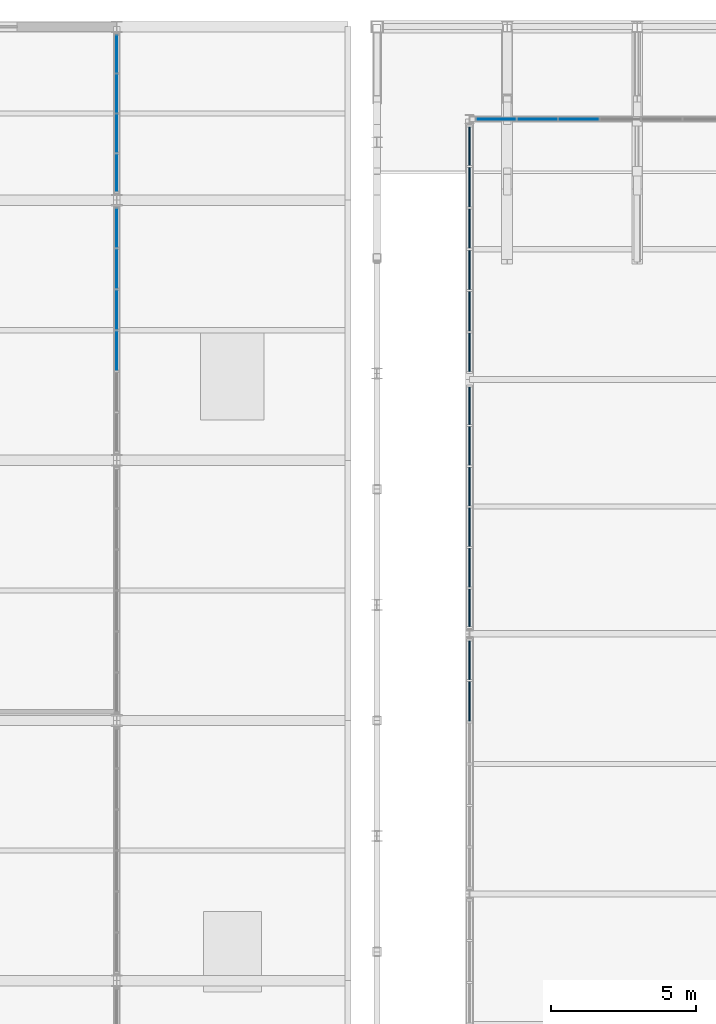
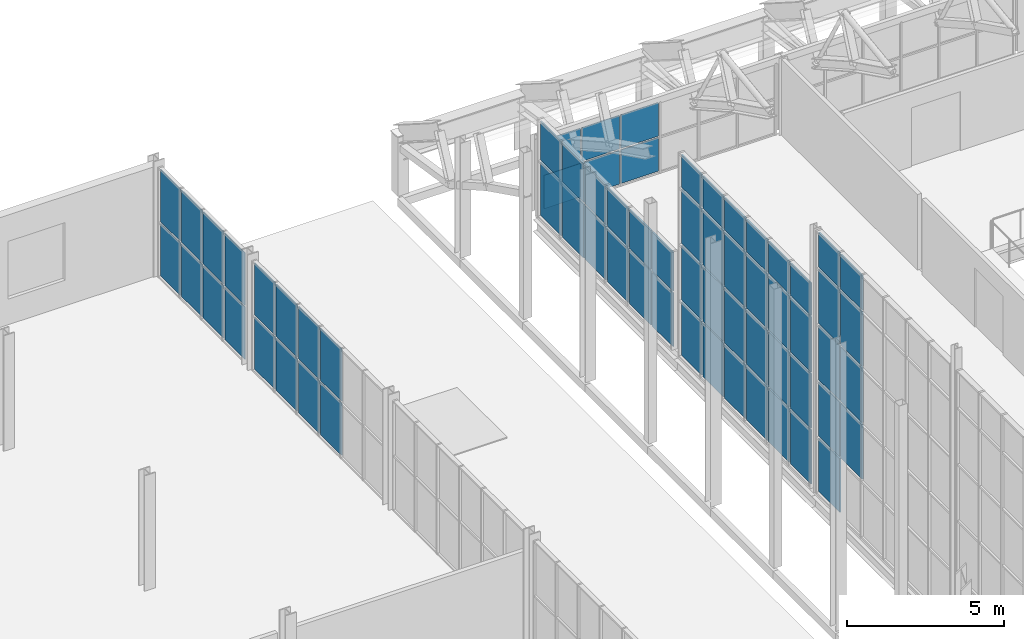
# One storey, part 97 of 134: 67 plates, 6 elements without a shape of their own.
"""IFC4 building model written with IfcOpenShell, lengths in metres."""

from ifc_helpers import new_model, si_unit, direction, frame, origin, origin_2d, place, context, subcontext, project, spatial, rectangle, extrude, material, layer, layer_set, type_object, element, aggregate, save


model = new_model("IFC4")

# Units and contexts
model_context = context("Model", 3, precision=1e-05, world=origin(), true_north=direction((0.0, 1.0)))
body_context = subcontext(model_context, "Body", "Model", "MODEL_VIEW")
ifc_project = project(units=[si_unit("LENGTHUNIT", "METRE"), si_unit("AREAUNIT", "SQUARE_METRE"), si_unit("VOLUMEUNIT", "CUBIC_METRE"), si_unit("PLANEANGLEUNIT", "RADIAN"), si_unit("MASSUNIT", "GRAM", prefix="KILO")], contexts=[model_context])

# Site, building, storey
site_placement = place(None, origin())
site = spatial("IfcSite", under=ifc_project, at=site_placement, CompositionType="ELEMENT")
building_placement = place(site_placement, origin())
building = spatial("IfcBuilding", under=site, at=building_placement, Name="Cazmaro Siding Exhibition Halls", CompositionType="ELEMENT")
storey_placement = place(building_placement, frame((0.0, 0.0, 12.0)))
storey = spatial("IfcBuildingStorey", under=building, at=storey_placement, Name="L02", CompositionType="ELEMENT", Elevation=12.0)

# Curtain wall, plates
ifc_material_1 = material(Name="Anodized Bronze Aluminum and Solar-Control Low-E Glazing", Category="aluminium")
ifc_layer_1 = layer(ifc_material_1, 0.179931640625)
ifc_layer_set_1 = layer_set([ifc_layer_1], Name="Anodized Bronze Aluminum and Solar-Control Low-E Glazing")
curtain_wall_type_1 = type_object("IfcCurtainWallType", Name="CWS-01", PredefinedType="USERDEFINED", material=ifc_layer_set_1)
curtain_wall_1_placement = place(storey_placement, origin())
curtain_wall_1 = element("IfcCurtainWall", 1, at=curtain_wall_1_placement, inside=storey, type_object=curtain_wall_type_1, Name="Glazed Curtain Wall CWS-01 CW-244", ObjectType="GLAZED CURTAIN WALL", PredefinedType="USERDEFINED")
ifc_material_2 = material(Name="Solar-Control Low-E Double Insulating Glass", Category="glass")
ifc_layer_2 = layer(ifc_material_2, 0.02392578125)
ifc_layer_set_2 = layer_set([ifc_layer_2], Name="Solar-Control Low-E Double Insulating Glass")
plate_type_1 = type_object("IfcPlateType", Name="CWP-01", PredefinedType="CURTAIN_PANEL", material=ifc_layer_set_2)
plate_1_placement = place(storey_placement, frame((36.0, 112.790771484375, 0.06005859375), z_axis=(0.0, 0.0, 1.0), x_axis=(0.0, 1.0, 0.0)))
plate_1 = element("IfcPlate", 2, at=plate_1_placement, type_object=plate_type_1, Name="CWS-01 panel 3.1", PredefinedType="CURTAIN_PANEL", context=body_context, shape_type="SweptSolid", body=[
    extrude(rectangle(XDim=1.3583984375, YDim=0.02392578125, at=origin_2d()), origin(), (0.0, 0.0, 1.0), 2.050048828125),
])
plate_2_placement = place(storey_placement, frame((36.0, 112.790771484375, 2.169921875), z_axis=(0.0, 0.0, 1.0), x_axis=(0.0, 1.0, 0.0)))
plate_2 = element("IfcPlate", 3, at=plate_2_placement, type_object=plate_type_1, Name="CWS-01 panel 3.2", PredefinedType="CURTAIN_PANEL", context=body_context, shape_type="SweptSolid", body=[
    extrude(rectangle(XDim=1.3583984375, YDim=0.02392578125, at=origin_2d()), origin(), (0.0, 0.0, 1.0), 2.050048828125),
])
plate_3_placement = place(storey_placement, frame((36.0, 114.209228515625, 0.06005859375), z_axis=(0.0, 0.0, 1.0), x_axis=(0.0, 1.0, 0.0)))
plate_3 = element("IfcPlate", 4, at=plate_3_placement, type_object=plate_type_1, Name="CWS-01 panel 4.1", PredefinedType="CURTAIN_PANEL", context=body_context, shape_type="SweptSolid", body=[
    extrude(rectangle(XDim=1.3583984375, YDim=0.02392578125, at=origin_2d()), origin(), (0.0, 0.0, 1.0), 2.050048828125),
])
plate_4_placement = place(storey_placement, frame((36.0, 114.209228515625, 2.169921875), z_axis=(0.0, 0.0, 1.0), x_axis=(0.0, 1.0, 0.0)))
plate_4 = element("IfcPlate", 5, at=plate_4_placement, type_object=plate_type_1, Name="CWS-01 panel 4.2", PredefinedType="CURTAIN_PANEL", context=body_context, shape_type="SweptSolid", body=[
    extrude(rectangle(XDim=1.3583984375, YDim=0.02392578125, at=origin_2d()), origin(), (0.0, 0.0, 1.0), 2.050048828125),
])
plate_5_placement = place(storey_placement, frame((36.0, 115.62744140625, 0.06005859375), z_axis=(0.0, 0.0, 1.0), x_axis=(0.0, 1.0, 0.0)))
plate_5 = element("IfcPlate", 6, at=plate_5_placement, type_object=plate_type_1, Name="CWS-01 panel 5.1", PredefinedType="CURTAIN_PANEL", context=body_context, shape_type="SweptSolid", body=[
    extrude(rectangle(XDim=1.3583984375, YDim=0.02392578125, at=origin_2d()), origin(), (0.0, 0.0, 1.0), 2.050048828125),
])
plate_6_placement = place(storey_placement, frame((36.0, 115.62744140625, 2.169921875), z_axis=(0.0, 0.0, 1.0), x_axis=(0.0, 1.0, 0.0)))
plate_6 = element("IfcPlate", 7, at=plate_6_placement, type_object=plate_type_1, Name="CWS-01 panel 5.2", PredefinedType="CURTAIN_PANEL", context=body_context, shape_type="SweptSolid", body=[
    extrude(rectangle(XDim=1.3583984375, YDim=0.02392578125, at=origin_2d()), origin(), (0.0, 0.0, 1.0), 2.050048828125),
])
plate_7_placement = place(storey_placement, frame((36.0, 117.03076171875, 0.06005859375), z_axis=(0.0, 0.0, 1.0), x_axis=(0.0, 1.0, 0.0)))
plate_7 = element("IfcPlate", 8, at=plate_7_placement, type_object=plate_type_1, Name="CWS-01 panel 6.1", PredefinedType="CURTAIN_PANEL", context=body_context, shape_type="SweptSolid", body=[
    extrude(rectangle(XDim=1.328369140625, YDim=0.02392578125, at=origin_2d()), origin(), (0.0, 0.0, 1.0), 2.050048828125),
])
plate_8_placement = place(storey_placement, frame((36.0, 117.03076171875, 2.169921875), z_axis=(0.0, 0.0, 1.0), x_axis=(0.0, 1.0, 0.0)))
plate_8 = element("IfcPlate", 9, at=plate_8_placement, type_object=plate_type_1, Name="CWS-01 panel 6.2", PredefinedType="CURTAIN_PANEL", context=body_context, shape_type="SweptSolid", body=[
    extrude(rectangle(XDim=1.328369140625, YDim=0.02392578125, at=origin_2d()), origin(), (0.0, 0.0, 1.0), 2.050048828125),
])
aggregate(curtain_wall_1, [plate_1, plate_2, plate_3, plate_4, plate_5, plate_6, plate_7, plate_8])

curtain_wall_2_placement = place(storey_placement, origin())
curtain_wall_2 = element("IfcCurtainWall", 10, at=curtain_wall_2_placement, inside=storey, type_object=curtain_wall_type_1, Name="Glazed Curtain Wall CWS-01 CW-246", ObjectType="GLAZED CURTAIN WALL", PredefinedType="USERDEFINED")
plate_9_placement = place(storey_placement, frame((36.0, 118.94873046875, 0.06005859375), z_axis=(0.0, 0.0, 1.0), x_axis=(0.0, 1.0, 0.0)))
plate_9 = element("IfcPlate", 11, at=plate_9_placement, type_object=plate_type_1, Name="CWS-01 panel 1.1", PredefinedType="CURTAIN_PANEL", context=body_context, shape_type="SweptSolid", body=[
    extrude(rectangle(XDim=1.28759765625, YDim=0.02392578125, at=origin_2d()), origin(), (0.0, 0.0, 1.0), 2.050048828125),
])
plate_10_placement = place(storey_placement, frame((36.0, 118.94873046875, 2.169921875), z_axis=(0.0, 0.0, 1.0), x_axis=(0.0, 1.0, 0.0)))
plate_10 = element("IfcPlate", 12, at=plate_10_placement, type_object=plate_type_1, Name="CWS-01 panel 1.2", PredefinedType="CURTAIN_PANEL", context=body_context, shape_type="SweptSolid", body=[
    extrude(rectangle(XDim=1.28759765625, YDim=0.02392578125, at=origin_2d()), origin(), (0.0, 0.0, 1.0), 2.050048828125),
])
plate_11_placement = place(storey_placement, frame((36.0, 120.311279296875, 0.06005859375), z_axis=(0.0, 0.0, 1.0), x_axis=(0.0, 1.0, 0.0)))
plate_11 = element("IfcPlate", 13, at=plate_11_placement, type_object=plate_type_1, Name="CWS-01 panel 2.1", PredefinedType="CURTAIN_PANEL", context=body_context, shape_type="SweptSolid", body=[
    extrude(rectangle(XDim=1.3173828125, YDim=0.02392578125, at=origin_2d()), origin(), (0.0, 0.0, 1.0), 2.050048828125),
])
plate_12_placement = place(storey_placement, frame((36.0, 120.311279296875, 2.169921875), z_axis=(0.0, 0.0, 1.0), x_axis=(0.0, 1.0, 0.0)))
plate_12 = element("IfcPlate", 14, at=plate_12_placement, type_object=plate_type_1, Name="CWS-01 panel 2.2", PredefinedType="CURTAIN_PANEL", context=body_context, shape_type="SweptSolid", body=[
    extrude(rectangle(XDim=1.3173828125, YDim=0.02392578125, at=origin_2d()), origin(), (0.0, 0.0, 1.0), 2.050048828125),
])
plate_13_placement = place(storey_placement, frame((36.0, 121.688720703125, 0.06005859375), z_axis=(0.0, 0.0, 1.0), x_axis=(0.0, 1.0, 0.0)))
plate_13 = element("IfcPlate", 15, at=plate_13_placement, type_object=plate_type_1, Name="CWS-01 panel 3.1", PredefinedType="CURTAIN_PANEL", context=body_context, shape_type="SweptSolid", body=[
    extrude(rectangle(XDim=1.3173828125, YDim=0.02392578125, at=origin_2d()), origin(), (0.0, 0.0, 1.0), 2.050048828125),
])
plate_14_placement = place(storey_placement, frame((36.0, 121.688720703125, 2.169921875), z_axis=(0.0, 0.0, 1.0), x_axis=(0.0, 1.0, 0.0)))
plate_14 = element("IfcPlate", 16, at=plate_14_placement, type_object=plate_type_1, Name="CWS-01 panel 3.2", PredefinedType="CURTAIN_PANEL", context=body_context, shape_type="SweptSolid", body=[
    extrude(rectangle(XDim=1.3173828125, YDim=0.02392578125, at=origin_2d()), origin(), (0.0, 0.0, 1.0), 2.050048828125),
])
plate_15_placement = place(storey_placement, frame((36.0, 123.05126953125, 0.06005859375), z_axis=(0.0, 0.0, 1.0), x_axis=(0.0, 1.0, 0.0)))
plate_15 = element("IfcPlate", 17, at=plate_15_placement, type_object=plate_type_1, Name="CWS-01 panel 4.1", PredefinedType="CURTAIN_PANEL", context=body_context, shape_type="SweptSolid", body=[
    extrude(rectangle(XDim=1.28759765625, YDim=0.02392578125, at=origin_2d()), origin(), (0.0, 0.0, 1.0), 2.050048828125),
])
plate_16_placement = place(storey_placement, frame((36.0, 123.05126953125, 2.169921875), z_axis=(0.0, 0.0, 1.0), x_axis=(0.0, 1.0, 0.0)))
plate_16 = element("IfcPlate", 18, at=plate_16_placement, type_object=plate_type_1, Name="CWS-01 panel 4.2", PredefinedType="CURTAIN_PANEL", context=body_context, shape_type="SweptSolid", body=[
    extrude(rectangle(XDim=1.28759765625, YDim=0.02392578125, at=origin_2d()), origin(), (0.0, 0.0, 1.0), 2.050048828125),
])
aggregate(curtain_wall_2, [plate_9, plate_10, plate_11, plate_12, plate_13, plate_14, plate_15, plate_16])

ifc_material_3 = material(Name="Anodized Bronze Aluminum and Solar-Control Low-E Glazing", Category="aluminium")
ifc_layer_3 = layer(ifc_material_3, 0.219970703125)
ifc_layer_set_3 = layer_set([ifc_layer_3], Name="Anodized Bronze Aluminum and Solar-Control Low-E Glazing")
curtain_wall_type_2 = type_object("IfcCurtainWallType", Name="CWS-03", PredefinedType="USERDEFINED", material=ifc_layer_set_3)
curtain_wall_3_placement = place(storey_placement, origin())
curtain_wall_3 = element("IfcCurtainWall", 19, at=curtain_wall_3_placement, inside=storey, type_object=curtain_wall_type_2, Name="Glazed Curtain Wall CWS-03 CW-058", ObjectType="GLAZED CURTAIN WALL", PredefinedType="USERDEFINED")
ifc_material_4 = material(Name="Solar-Control Low-E Double Insulating Glass", Category="glass")
ifc_layer_4 = layer(ifc_material_4, 0.0458984375)
ifc_layer_set_4 = layer_set([ifc_layer_4], Name="Solar-Control Low-E Double Insulating Glass")
plate_type_2 = type_object("IfcPlateType", Name="CWP-03", PredefinedType="CURTAIN_PANEL", material=ifc_layer_set_4)
plate_17_placement = place(storey_placement, frame((48.199951171875, 102.0849609375, 0.06982421875), z_axis=(0.0, 0.0, 1.0), x_axis=(0.0, -1.0, 0.0)))
plate_17 = element("IfcPlate", 20, at=plate_17_placement, type_object=plate_type_2, Name="CWS-03 panel 1.1", PredefinedType="CURTAIN_PANEL", context=body_context, shape_type="SweptSolid", body=[
    extrude(rectangle(XDim=1.3359375, YDim=0.0458984375, at=origin_2d()), origin(), (0.0, 0.0, 1.0), 2.094970703125),
])
plate_18_placement = place(storey_placement, frame((48.199951171875, 102.0849609375, 2.235107421875), z_axis=(0.0, 0.0, 1.0), x_axis=(0.0, -1.0, 0.0)))
plate_18 = element("IfcPlate", 21, at=plate_18_placement, type_object=plate_type_2, Name="CWS-03 panel 1.2", PredefinedType="CURTAIN_PANEL", context=body_context, shape_type="SweptSolid", body=[
    extrude(rectangle(XDim=1.3359375, YDim=0.0458984375, at=origin_2d()), origin(), (0.0, 0.0, 1.0), 2.1298828125),
])
plate_19_placement = place(storey_placement, frame((48.199951171875, 102.0849609375, 4.43505859375), z_axis=(0.0, 0.0, 1.0), x_axis=(0.0, -1.0, 0.0)))
plate_19 = element("IfcPlate", 22, at=plate_19_placement, type_object=plate_type_2, Name="CWS-03 panel 1.3", PredefinedType="CURTAIN_PANEL", context=body_context, shape_type="SweptSolid", body=[
    extrude(rectangle(XDim=1.3359375, YDim=0.0458984375, at=origin_2d()), origin(), (0.0, 0.0, 1.0), 2.1298828125),
])
plate_20_placement = place(storey_placement, frame((48.199951171875, 102.0849609375, 6.635009765625), z_axis=(0.0, 0.0, 1.0), x_axis=(0.0, -1.0, 0.0)))
plate_20 = element("IfcPlate", 23, at=plate_20_placement, type_object=plate_type_2, Name="CWS-03 panel 1.4", PredefinedType="CURTAIN_PANEL", context=body_context, shape_type="SweptSolid", body=[
    extrude(rectangle(XDim=1.3359375, YDim=0.0458984375, at=origin_2d()), origin(), (0.0, 0.0, 1.0), 2.1298828125),
])
plate_21_placement = place(storey_placement, frame((48.199951171875, 102.0849609375, 8.8349609375), z_axis=(0.0, 0.0, 1.0), x_axis=(0.0, -1.0, 0.0)))
plate_21 = element("IfcPlate", 24, at=plate_21_placement, type_object=plate_type_2, Name="CWS-03 panel 1.5", PredefinedType="CURTAIN_PANEL", context=body_context, shape_type="SweptSolid", body=[
    extrude(rectangle(XDim=1.3359375, YDim=0.0458984375, at=origin_2d()), origin(), (0.0, 0.0, 1.0), 1.35302734375),
])
plate_22_placement = place(storey_placement, frame((48.199951171875, 100.66162109375, 2.235107421875), z_axis=(0.0, 0.0, 1.0), x_axis=(0.0, -1.0, 0.0)))
plate_22 = element("IfcPlate", 25, at=plate_22_placement, type_object=plate_type_2, Name="CWS-03 panel 2.2", PredefinedType="CURTAIN_PANEL", context=body_context, shape_type="SweptSolid", body=[
    extrude(rectangle(XDim=1.37109375, YDim=0.0458984375, at=origin_2d()), origin(), (0.0, 0.0, 1.0), 2.1298828125),
])
plate_23_placement = place(storey_placement, frame((48.199951171875, 100.66162109375, 4.43505859375), z_axis=(0.0, 0.0, 1.0), x_axis=(0.0, -1.0, 0.0)))
plate_23 = element("IfcPlate", 26, at=plate_23_placement, type_object=plate_type_2, Name="CWS-03 panel 2.3", PredefinedType="CURTAIN_PANEL", context=body_context, shape_type="SweptSolid", body=[
    extrude(rectangle(XDim=1.37109375, YDim=0.0458984375, at=origin_2d()), origin(), (0.0, 0.0, 1.0), 2.1298828125),
])
plate_24_placement = place(storey_placement, frame((48.199951171875, 100.66162109375, 6.635009765625), z_axis=(0.0, 0.0, 1.0), x_axis=(0.0, -1.0, 0.0)))
plate_24 = element("IfcPlate", 27, at=plate_24_placement, type_object=plate_type_2, Name="CWS-03 panel 2.4", PredefinedType="CURTAIN_PANEL", context=body_context, shape_type="SweptSolid", body=[
    extrude(rectangle(XDim=1.37109375, YDim=0.0458984375, at=origin_2d()), origin(), (0.0, 0.0, 1.0), 2.1298828125),
])
plate_25_placement = place(storey_placement, frame((48.199951171875, 100.66162109375, 8.8349609375), z_axis=(0.0, 0.0, 1.0), x_axis=(0.0, -1.0, 0.0)))
plate_25 = element("IfcPlate", 28, at=plate_25_placement, type_object=plate_type_2, Name="CWS-03 panel 2.5", PredefinedType="CURTAIN_PANEL", context=body_context, shape_type="SweptSolid", body=[
    extrude(rectangle(XDim=1.37109375, YDim=0.0458984375, at=origin_2d()), origin(), (0.0, 0.0, 1.0), 1.35302734375),
])
aggregate(curtain_wall_3, [plate_17, plate_18, plate_19, plate_20, plate_21, plate_22, plate_23, plate_24, plate_25])

curtain_wall_4_placement = place(storey_placement, origin())
curtain_wall_4 = element("IfcCurtainWall", 29, at=curtain_wall_4_placement, inside=storey, type_object=curtain_wall_type_2, Name="Glazed Curtain Wall CWS-03 CW-061", ObjectType="GLAZED CURTAIN WALL", PredefinedType="USERDEFINED")
plate_26_placement = place(storey_placement, frame((48.199951171875, 110.88232421875, 0.06982421875), z_axis=(0.0, 0.0, 1.0), x_axis=(0.0, -1.0, 0.0)))
plate_26 = element("IfcPlate", 30, at=plate_26_placement, type_object=plate_type_2, Name="CWS-03 panel 1.1", PredefinedType="CURTAIN_PANEL", context=body_context, shape_type="SweptSolid", body=[
    extrude(rectangle(XDim=1.299072265625, YDim=0.0458984375, at=origin_2d()), origin(), (0.0, 0.0, 1.0), 2.094970703125),
])
plate_27_placement = place(storey_placement, frame((48.199951171875, 110.88232421875, 2.235107421875), z_axis=(0.0, 0.0, 1.0), x_axis=(0.0, -1.0, 0.0)))
plate_27 = element("IfcPlate", 31, at=plate_27_placement, type_object=plate_type_2, Name="CWS-03 panel 1.2", PredefinedType="CURTAIN_PANEL", context=body_context, shape_type="SweptSolid", body=[
    extrude(rectangle(XDim=1.299072265625, YDim=0.0458984375, at=origin_2d()), origin(), (0.0, 0.0, 1.0), 2.1298828125),
])
plate_28_placement = place(storey_placement, frame((48.199951171875, 110.88232421875, 4.43505859375), z_axis=(0.0, 0.0, 1.0), x_axis=(0.0, -1.0, 0.0)))
plate_28 = element("IfcPlate", 32, at=plate_28_placement, type_object=plate_type_2, Name="CWS-03 panel 1.3", PredefinedType="CURTAIN_PANEL", context=body_context, shape_type="SweptSolid", body=[
    extrude(rectangle(XDim=1.299072265625, YDim=0.0458984375, at=origin_2d()), origin(), (0.0, 0.0, 1.0), 2.1298828125),
])
plate_29_placement = place(storey_placement, frame((48.199951171875, 110.88232421875, 6.635009765625), z_axis=(0.0, 0.0, 1.0), x_axis=(0.0, -1.0, 0.0)))
plate_29 = element("IfcPlate", 33, at=plate_29_placement, type_object=plate_type_2, Name="CWS-03 panel 1.4", PredefinedType="CURTAIN_PANEL", context=body_context, shape_type="SweptSolid", body=[
    extrude(rectangle(XDim=1.299072265625, YDim=0.0458984375, at=origin_2d()), origin(), (0.0, 0.0, 1.0), 1.26806640625),
])
plate_30_placement = place(storey_placement, frame((48.199951171875, 109.495849609375, 0.06982421875), z_axis=(0.0, 0.0, 1.0), x_axis=(0.0, -1.0, 0.0)))
plate_30 = element("IfcPlate", 34, at=plate_30_placement, type_object=plate_type_2, Name="CWS-03 panel 2.1", PredefinedType="CURTAIN_PANEL", context=body_context, shape_type="SweptSolid", body=[
    extrude(rectangle(XDim=1.334228515625, YDim=0.0458984375, at=origin_2d()), origin(), (0.0, 0.0, 1.0), 2.094970703125),
])
plate_31_placement = place(storey_placement, frame((48.199951171875, 109.495849609375, 2.235107421875), z_axis=(0.0, 0.0, 1.0), x_axis=(0.0, -1.0, 0.0)))
plate_31 = element("IfcPlate", 35, at=plate_31_placement, type_object=plate_type_2, Name="CWS-03 panel 2.2", PredefinedType="CURTAIN_PANEL", context=body_context, shape_type="SweptSolid", body=[
    extrude(rectangle(XDim=1.334228515625, YDim=0.0458984375, at=origin_2d()), origin(), (0.0, 0.0, 1.0), 2.1298828125),
])
plate_32_placement = place(storey_placement, frame((48.199951171875, 109.495849609375, 4.43505859375), z_axis=(0.0, 0.0, 1.0), x_axis=(0.0, -1.0, 0.0)))
plate_32 = element("IfcPlate", 36, at=plate_32_placement, type_object=plate_type_2, Name="CWS-03 panel 2.3", PredefinedType="CURTAIN_PANEL", context=body_context, shape_type="SweptSolid", body=[
    extrude(rectangle(XDim=1.334228515625, YDim=0.0458984375, at=origin_2d()), origin(), (0.0, 0.0, 1.0), 2.1298828125),
])
plate_33_placement = place(storey_placement, frame((48.199951171875, 109.495849609375, 6.635009765625), z_axis=(0.0, 0.0, 1.0), x_axis=(0.0, -1.0, 0.0)))
plate_33 = element("IfcPlate", 37, at=plate_33_placement, type_object=plate_type_2, Name="CWS-03 panel 2.4", PredefinedType="CURTAIN_PANEL", context=body_context, shape_type="SweptSolid", body=[
    extrude(rectangle(XDim=1.334228515625, YDim=0.0458984375, at=origin_2d()), origin(), (0.0, 0.0, 1.0), 1.26806640625),
])
plate_34_placement = place(storey_placement, frame((48.199951171875, 108.091552734375, 0.06982421875), z_axis=(0.0, 0.0, 1.0), x_axis=(0.0, -1.0, 0.0)))
plate_34 = element("IfcPlate", 38, at=plate_34_placement, type_object=plate_type_2, Name="CWS-03 panel 3.1", PredefinedType="CURTAIN_PANEL", context=body_context, shape_type="SweptSolid", body=[
    extrude(rectangle(XDim=1.334228515625, YDim=0.0458984375, at=origin_2d()), origin(), (0.0, 0.0, 1.0), 2.094970703125),
])
plate_35_placement = place(storey_placement, frame((48.199951171875, 108.091552734375, 2.235107421875), z_axis=(0.0, 0.0, 1.0), x_axis=(0.0, -1.0, 0.0)))
plate_35 = element("IfcPlate", 39, at=plate_35_placement, type_object=plate_type_2, Name="CWS-03 panel 3.2", PredefinedType="CURTAIN_PANEL", context=body_context, shape_type="SweptSolid", body=[
    extrude(rectangle(XDim=1.334228515625, YDim=0.0458984375, at=origin_2d()), origin(), (0.0, 0.0, 1.0), 2.1298828125),
])
plate_36_placement = place(storey_placement, frame((48.199951171875, 108.091552734375, 4.43505859375), z_axis=(0.0, 0.0, 1.0), x_axis=(0.0, -1.0, 0.0)))
plate_36 = element("IfcPlate", 40, at=plate_36_placement, type_object=plate_type_2, Name="CWS-03 panel 3.3", PredefinedType="CURTAIN_PANEL", context=body_context, shape_type="SweptSolid", body=[
    extrude(rectangle(XDim=1.334228515625, YDim=0.0458984375, at=origin_2d()), origin(), (0.0, 0.0, 1.0), 2.1298828125),
])
plate_37_placement = place(storey_placement, frame((48.199951171875, 108.091552734375, 6.635009765625), z_axis=(0.0, 0.0, 1.0), x_axis=(0.0, -1.0, 0.0)))
plate_37 = element("IfcPlate", 41, at=plate_37_placement, type_object=plate_type_2, Name="CWS-03 panel 3.4", PredefinedType="CURTAIN_PANEL", context=body_context, shape_type="SweptSolid", body=[
    extrude(rectangle(XDim=1.334228515625, YDim=0.0458984375, at=origin_2d()), origin(), (0.0, 0.0, 1.0), 1.26806640625),
])
plate_38_placement = place(storey_placement, frame((48.199951171875, 106.6875, 0.06982421875), z_axis=(0.0, 0.0, 1.0), x_axis=(0.0, -1.0, 0.0)))
plate_38 = element("IfcPlate", 42, at=plate_38_placement, type_object=plate_type_2, Name="CWS-03 panel 4.1", PredefinedType="CURTAIN_PANEL", context=body_context, shape_type="SweptSolid", body=[
    extrude(rectangle(XDim=1.334228515625, YDim=0.0458984375, at=origin_2d()), origin(), (0.0, 0.0, 1.0), 2.094970703125),
])
plate_39_placement = place(storey_placement, frame((48.199951171875, 106.6875, 2.235107421875), z_axis=(0.0, 0.0, 1.0), x_axis=(0.0, -1.0, 0.0)))
plate_39 = element("IfcPlate", 43, at=plate_39_placement, type_object=plate_type_2, Name="CWS-03 panel 4.2", PredefinedType="CURTAIN_PANEL", context=body_context, shape_type="SweptSolid", body=[
    extrude(rectangle(XDim=1.334228515625, YDim=0.0458984375, at=origin_2d()), origin(), (0.0, 0.0, 1.0), 2.1298828125),
])
plate_40_placement = place(storey_placement, frame((48.199951171875, 106.6875, 4.43505859375), z_axis=(0.0, 0.0, 1.0), x_axis=(0.0, -1.0, 0.0)))
plate_40 = element("IfcPlate", 44, at=plate_40_placement, type_object=plate_type_2, Name="CWS-03 panel 4.3", PredefinedType="CURTAIN_PANEL", context=body_context, shape_type="SweptSolid", body=[
    extrude(rectangle(XDim=1.334228515625, YDim=0.0458984375, at=origin_2d()), origin(), (0.0, 0.0, 1.0), 2.1298828125),
])
plate_41_placement = place(storey_placement, frame((48.199951171875, 106.6875, 6.635009765625), z_axis=(0.0, 0.0, 1.0), x_axis=(0.0, -1.0, 0.0)))
plate_41 = element("IfcPlate", 45, at=plate_41_placement, type_object=plate_type_2, Name="CWS-03 panel 4.4", PredefinedType="CURTAIN_PANEL", context=body_context, shape_type="SweptSolid", body=[
    extrude(rectangle(XDim=1.334228515625, YDim=0.0458984375, at=origin_2d()), origin(), (0.0, 0.0, 1.0), 1.26806640625),
])
plate_42_placement = place(storey_placement, frame((48.199951171875, 105.283203125, 0.06982421875), z_axis=(0.0, 0.0, 1.0), x_axis=(0.0, -1.0, 0.0)))
plate_42 = element("IfcPlate", 46, at=plate_42_placement, type_object=plate_type_2, Name="CWS-03 panel 5.1", PredefinedType="CURTAIN_PANEL", context=body_context, shape_type="SweptSolid", body=[
    extrude(rectangle(XDim=1.334228515625, YDim=0.0458984375, at=origin_2d()), origin(), (0.0, 0.0, 1.0), 2.094970703125),
])
plate_43_placement = place(storey_placement, frame((48.199951171875, 105.283203125, 2.235107421875), z_axis=(0.0, 0.0, 1.0), x_axis=(0.0, -1.0, 0.0)))
plate_43 = element("IfcPlate", 47, at=plate_43_placement, type_object=plate_type_2, Name="CWS-03 panel 5.2", PredefinedType="CURTAIN_PANEL", context=body_context, shape_type="SweptSolid", body=[
    extrude(rectangle(XDim=1.334228515625, YDim=0.0458984375, at=origin_2d()), origin(), (0.0, 0.0, 1.0), 2.1298828125),
])
plate_44_placement = place(storey_placement, frame((48.199951171875, 105.283203125, 4.43505859375), z_axis=(0.0, 0.0, 1.0), x_axis=(0.0, -1.0, 0.0)))
plate_44 = element("IfcPlate", 48, at=plate_44_placement, type_object=plate_type_2, Name="CWS-03 panel 5.3", PredefinedType="CURTAIN_PANEL", context=body_context, shape_type="SweptSolid", body=[
    extrude(rectangle(XDim=1.334228515625, YDim=0.0458984375, at=origin_2d()), origin(), (0.0, 0.0, 1.0), 2.1298828125),
])
plate_45_placement = place(storey_placement, frame((48.199951171875, 105.283203125, 6.635009765625), z_axis=(0.0, 0.0, 1.0), x_axis=(0.0, -1.0, 0.0)))
plate_45 = element("IfcPlate", 49, at=plate_45_placement, type_object=plate_type_2, Name="CWS-03 panel 5.4", PredefinedType="CURTAIN_PANEL", context=body_context, shape_type="SweptSolid", body=[
    extrude(rectangle(XDim=1.334228515625, YDim=0.0458984375, at=origin_2d()), origin(), (0.0, 0.0, 1.0), 1.26806640625),
])
plate_46_placement = place(storey_placement, frame((48.199951171875, 103.896484375, 0.06982421875), z_axis=(0.0, 0.0, 1.0), x_axis=(0.0, -1.0, 0.0)))
plate_46 = element("IfcPlate", 50, at=plate_46_placement, type_object=plate_type_2, Name="CWS-03 panel 6.1", PredefinedType="CURTAIN_PANEL", context=body_context, shape_type="SweptSolid", body=[
    extrude(rectangle(XDim=1.299072265625, YDim=0.0458984375, at=origin_2d()), origin(), (0.0, 0.0, 1.0), 2.094970703125),
])
plate_47_placement = place(storey_placement, frame((48.199951171875, 103.896484375, 2.235107421875), z_axis=(0.0, 0.0, 1.0), x_axis=(0.0, -1.0, 0.0)))
plate_47 = element("IfcPlate", 51, at=plate_47_placement, type_object=plate_type_2, Name="CWS-03 panel 6.2", PredefinedType="CURTAIN_PANEL", context=body_context, shape_type="SweptSolid", body=[
    extrude(rectangle(XDim=1.299072265625, YDim=0.0458984375, at=origin_2d()), origin(), (0.0, 0.0, 1.0), 2.1298828125),
])
plate_48_placement = place(storey_placement, frame((48.199951171875, 103.896484375, 4.43505859375), z_axis=(0.0, 0.0, 1.0), x_axis=(0.0, -1.0, 0.0)))
plate_48 = element("IfcPlate", 52, at=plate_48_placement, type_object=plate_type_2, Name="CWS-03 panel 6.3", PredefinedType="CURTAIN_PANEL", context=body_context, shape_type="SweptSolid", body=[
    extrude(rectangle(XDim=1.299072265625, YDim=0.0458984375, at=origin_2d()), origin(), (0.0, 0.0, 1.0), 2.1298828125),
])
plate_49_placement = place(storey_placement, frame((48.199951171875, 103.896484375, 6.635009765625), z_axis=(0.0, 0.0, 1.0), x_axis=(0.0, -1.0, 0.0)))
plate_49 = element("IfcPlate", 53, at=plate_49_placement, type_object=plate_type_2, Name="CWS-03 panel 6.4", PredefinedType="CURTAIN_PANEL", context=body_context, shape_type="SweptSolid", body=[
    extrude(rectangle(XDim=1.299072265625, YDim=0.0458984375, at=origin_2d()), origin(), (0.0, 0.0, 1.0), 1.26806640625),
])
aggregate(curtain_wall_4, [plate_26, plate_27, plate_28, plate_29, plate_30, plate_31, plate_32, plate_33, plate_34, plate_35, plate_36, plate_37, plate_38, plate_39, plate_40, plate_41, plate_42, plate_43, plate_44, plate_45, plate_46, plate_47, plate_48, plate_49])

curtain_wall_5_placement = place(storey_placement, origin())
curtain_wall_5 = element("IfcCurtainWall", 54, at=curtain_wall_5_placement, inside=storey, type_object=curtain_wall_type_2, Name="Glazed Curtain Wall CWS-03 CW-064", ObjectType="GLAZED CURTAIN WALL", PredefinedType="USERDEFINED")
plate_50_placement = place(storey_placement, frame((48.199951171875, 119.867431640625, 0.06982421875), z_axis=(0.0, 0.0, 1.0), x_axis=(0.0, -1.0, 0.0)))
plate_50 = element("IfcPlate", 55, at=plate_50_placement, type_object=plate_type_2, Name="CWS-03 panel 1.1", PredefinedType="CURTAIN_PANEL", context=body_context, shape_type="SweptSolid", body=[
    extrude(rectangle(XDim=1.3291015625, YDim=0.0458984375, at=origin_2d()), origin(), (0.0, 0.0, 1.0), 2.094970703125),
])
plate_51_placement = place(storey_placement, frame((48.199951171875, 119.867431640625, 2.235107421875), z_axis=(0.0, 0.0, 1.0), x_axis=(0.0, -1.0, 0.0)))
plate_51 = element("IfcPlate", 56, at=plate_51_placement, type_object=plate_type_2, Name="CWS-03 panel 1.2", PredefinedType="CURTAIN_PANEL", context=body_context, shape_type="SweptSolid", body=[
    extrude(rectangle(XDim=1.3291015625, YDim=0.0458984375, at=origin_2d()), origin(), (0.0, 0.0, 1.0), 1.52001953125),
])
plate_52_placement = place(storey_placement, frame((48.199951171875, 118.450927734375, 0.06982421875), z_axis=(0.0, 0.0, 1.0), x_axis=(0.0, -1.0, 0.0)))
plate_52 = element("IfcPlate", 57, at=plate_52_placement, type_object=plate_type_2, Name="CWS-03 panel 2.1", PredefinedType="CURTAIN_PANEL", context=body_context, shape_type="SweptSolid", body=[
    extrude(rectangle(XDim=1.364013671875, YDim=0.0458984375, at=origin_2d()), origin(), (0.0, 0.0, 1.0), 2.094970703125),
])
plate_53_placement = place(storey_placement, frame((48.199951171875, 118.450927734375, 2.235107421875), z_axis=(0.0, 0.0, 1.0), x_axis=(0.0, -1.0, 0.0)))
plate_53 = element("IfcPlate", 58, at=plate_53_placement, type_object=plate_type_2, Name="CWS-03 panel 2.2", PredefinedType="CURTAIN_PANEL", context=body_context, shape_type="SweptSolid", body=[
    extrude(rectangle(XDim=1.364013671875, YDim=0.0458984375, at=origin_2d()), origin(), (0.0, 0.0, 1.0), 1.52001953125),
])
plate_54_placement = place(storey_placement, frame((48.199951171875, 117.01708984375, 0.06982421875), z_axis=(0.0, 0.0, 1.0), x_axis=(0.0, -1.0, 0.0)))
plate_54 = element("IfcPlate", 59, at=plate_54_placement, type_object=plate_type_2, Name="CWS-03 panel 3.1", PredefinedType="CURTAIN_PANEL", context=body_context, shape_type="SweptSolid", body=[
    extrude(rectangle(XDim=1.364013671875, YDim=0.0458984375, at=origin_2d()), origin(), (0.0, 0.0, 1.0), 2.094970703125),
])
plate_55_placement = place(storey_placement, frame((48.199951171875, 117.01708984375, 2.235107421875), z_axis=(0.0, 0.0, 1.0), x_axis=(0.0, -1.0, 0.0)))
plate_55 = element("IfcPlate", 60, at=plate_55_placement, type_object=plate_type_2, Name="CWS-03 panel 3.2", PredefinedType="CURTAIN_PANEL", context=body_context, shape_type="SweptSolid", body=[
    extrude(rectangle(XDim=1.364013671875, YDim=0.0458984375, at=origin_2d()), origin(), (0.0, 0.0, 1.0), 1.52001953125),
])
plate_56_placement = place(storey_placement, frame((48.199951171875, 115.5830078125, 0.06982421875), z_axis=(0.0, 0.0, 1.0), x_axis=(0.0, -1.0, 0.0)))
plate_56 = element("IfcPlate", 61, at=plate_56_placement, type_object=plate_type_2, Name="CWS-03 panel 4.1", PredefinedType="CURTAIN_PANEL", context=body_context, shape_type="SweptSolid", body=[
    extrude(rectangle(XDim=1.364013671875, YDim=0.0458984375, at=origin_2d()), origin(), (0.0, 0.0, 1.0), 2.094970703125),
])
plate_57_placement = place(storey_placement, frame((48.199951171875, 115.5830078125, 2.235107421875), z_axis=(0.0, 0.0, 1.0), x_axis=(0.0, -1.0, 0.0)))
plate_57 = element("IfcPlate", 62, at=plate_57_placement, type_object=plate_type_2, Name="CWS-03 panel 4.2", PredefinedType="CURTAIN_PANEL", context=body_context, shape_type="SweptSolid", body=[
    extrude(rectangle(XDim=1.364013671875, YDim=0.0458984375, at=origin_2d()), origin(), (0.0, 0.0, 1.0), 1.52001953125),
])
plate_58_placement = place(storey_placement, frame((48.199951171875, 114.14892578125, 0.06982421875), z_axis=(0.0, 0.0, 1.0), x_axis=(0.0, -1.0, 0.0)))
plate_58 = element("IfcPlate", 63, at=plate_58_placement, type_object=plate_type_2, Name="CWS-03 panel 5.1", PredefinedType="CURTAIN_PANEL", context=body_context, shape_type="SweptSolid", body=[
    extrude(rectangle(XDim=1.364013671875, YDim=0.0458984375, at=origin_2d()), origin(), (0.0, 0.0, 1.0), 2.094970703125),
])
plate_59_placement = place(storey_placement, frame((48.199951171875, 114.14892578125, 2.235107421875), z_axis=(0.0, 0.0, 1.0), x_axis=(0.0, -1.0, 0.0)))
plate_59 = element("IfcPlate", 64, at=plate_59_placement, type_object=plate_type_2, Name="CWS-03 panel 5.2", PredefinedType="CURTAIN_PANEL", context=body_context, shape_type="SweptSolid", body=[
    extrude(rectangle(XDim=1.364013671875, YDim=0.0458984375, at=origin_2d()), origin(), (0.0, 0.0, 1.0), 1.52001953125),
])
plate_60_placement = place(storey_placement, frame((48.199951171875, 112.732421875, 0.06982421875), z_axis=(0.0, 0.0, 1.0), x_axis=(0.0, -1.0, 0.0)))
plate_60 = element("IfcPlate", 65, at=plate_60_placement, type_object=plate_type_2, Name="CWS-03 panel 6.1", PredefinedType="CURTAIN_PANEL", context=body_context, shape_type="SweptSolid", body=[
    extrude(rectangle(XDim=1.3291015625, YDim=0.0458984375, at=origin_2d()), origin(), (0.0, 0.0, 1.0), 2.094970703125),
])
plate_61_placement = place(storey_placement, frame((48.199951171875, 112.732421875, 2.235107421875), z_axis=(0.0, 0.0, 1.0), x_axis=(0.0, -1.0, 0.0)))
plate_61 = element("IfcPlate", 66, at=plate_61_placement, type_object=plate_type_2, Name="CWS-03 panel 6.2", PredefinedType="CURTAIN_PANEL", context=body_context, shape_type="SweptSolid", body=[
    extrude(rectangle(XDim=1.3291015625, YDim=0.0458984375, at=origin_2d()), origin(), (0.0, 0.0, 1.0), 1.52001953125),
])
aggregate(curtain_wall_5, [plate_50, plate_51, plate_52, plate_53, plate_54, plate_55, plate_56, plate_57, plate_58, plate_59, plate_60, plate_61])

ifc_material_5 = material(Name="Anodized Bronze Aluminum and Solar-Control Low-E Glazing", Category="aluminium")
ifc_layer_5 = layer(ifc_material_5, 0.159912109375)
ifc_layer_set_5 = layer_set([ifc_layer_5], Name="Anodized Bronze Aluminum and Solar-Control Low-E Glazing")
curtain_wall_type_3 = type_object("IfcCurtainWallType", Name="CWS-04", PredefinedType="USERDEFINED", material=ifc_layer_set_5)
curtain_wall_6_placement = place(storey_placement, origin())
curtain_wall_6 = element("IfcCurtainWall", 67, at=curtain_wall_6_placement, inside=storey, type_object=curtain_wall_type_3, Name="Clerestory Curtain Wall CWS-04 CW-002", ObjectType="CLERESTORY CURTAIN WALL", PredefinedType="USERDEFINED")
ifc_material_6 = material(Name="Solar-Control Low-E Double Insulating Glass", Category="glass")
ifc_layer_6 = layer(ifc_material_6, 0.028076171875)
ifc_layer_set_6 = layer_set([ifc_layer_6], Name="Solar-Control Low-E Double Insulating Glass")
plate_type_3 = type_object("IfcPlateType", Name="CWP-04", PredefinedType="CURTAIN_PANEL", material=ifc_layer_set_6)
plate_62_placement = place(storey_placement, frame((51.98291015625, 120.800048828125, 0.06005859375), z_axis=(0.0, 0.0, 1.0), x_axis=(-1.0, 0.0, 0.0)))
plate_62 = element("IfcPlate", 68, at=plate_62_placement, type_object=plate_type_3, Name="CWS-04 panel 4.1", PredefinedType="CURTAIN_PANEL", context=body_context, shape_type="SweptSolid", body=[
    extrude(rectangle(XDim=1.374267578125, YDim=0.028076171875, at=origin_2d()), origin(), (0.0, 0.0, 1.0), 1.31005859375),
])
plate_63_placement = place(storey_placement, frame((51.98291015625, 120.800048828125, 1.429931640625), z_axis=(0.0, 0.0, 1.0), x_axis=(-1.0, 0.0, 0.0)))
plate_63 = element("IfcPlate", 69, at=plate_63_placement, type_object=plate_type_3, Name="CWS-04 panel 4.2", PredefinedType="CURTAIN_PANEL", context=body_context, shape_type="SweptSolid", body=[
    extrude(rectangle(XDim=1.374267578125, YDim=0.028076171875, at=origin_2d()), origin(), (0.0, 0.0, 1.0), 1.31005859375),
])
plate_64_placement = place(storey_placement, frame((50.548583984375, 120.800048828125, 0.06005859375), z_axis=(0.0, 0.0, 1.0), x_axis=(-1.0, 0.0, 0.0)))
plate_64 = element("IfcPlate", 70, at=plate_64_placement, type_object=plate_type_3, Name="CWS-04 panel 5.1", PredefinedType="CURTAIN_PANEL", context=body_context, shape_type="SweptSolid", body=[
    extrude(rectangle(XDim=1.374267578125, YDim=0.028076171875, at=origin_2d()), origin(), (0.0, 0.0, 1.0), 1.31005859375),
])
plate_65_placement = place(storey_placement, frame((50.548583984375, 120.800048828125, 1.429931640625), z_axis=(0.0, 0.0, 1.0), x_axis=(-1.0, 0.0, 0.0)))
plate_65 = element("IfcPlate", 71, at=plate_65_placement, type_object=plate_type_3, Name="CWS-04 panel 5.2", PredefinedType="CURTAIN_PANEL", context=body_context, shape_type="SweptSolid", body=[
    extrude(rectangle(XDim=1.374267578125, YDim=0.028076171875, at=origin_2d()), origin(), (0.0, 0.0, 1.0), 1.31005859375),
])
plate_66_placement = place(storey_placement, frame((49.129150390625, 120.800048828125, 0.06005859375), z_axis=(0.0, 0.0, 1.0), x_axis=(-1.0, 0.0, 0.0)))
plate_66 = element("IfcPlate", 72, at=plate_66_placement, type_object=plate_type_3, Name="CWS-04 panel 6.1", PredefinedType="CURTAIN_PANEL", context=body_context, shape_type="SweptSolid", body=[
    extrude(rectangle(XDim=1.34423828125, YDim=0.028076171875, at=origin_2d()), origin(), (0.0, 0.0, 1.0), 1.31005859375),
])
plate_67_placement = place(storey_placement, frame((49.129150390625, 120.800048828125, 1.429931640625), z_axis=(0.0, 0.0, 1.0), x_axis=(-1.0, 0.0, 0.0)))
plate_67 = element("IfcPlate", 73, at=plate_67_placement, type_object=plate_type_3, Name="CWS-04 panel 6.2", PredefinedType="CURTAIN_PANEL", context=body_context, shape_type="SweptSolid", body=[
    extrude(rectangle(XDim=1.34423828125, YDim=0.028076171875, at=origin_2d()), origin(), (0.0, 0.0, 1.0), 1.31005859375),
])
aggregate(curtain_wall_6, [plate_62, plate_63, plate_64, plate_65, plate_66, plate_67])

save(model, "model.ifc")
